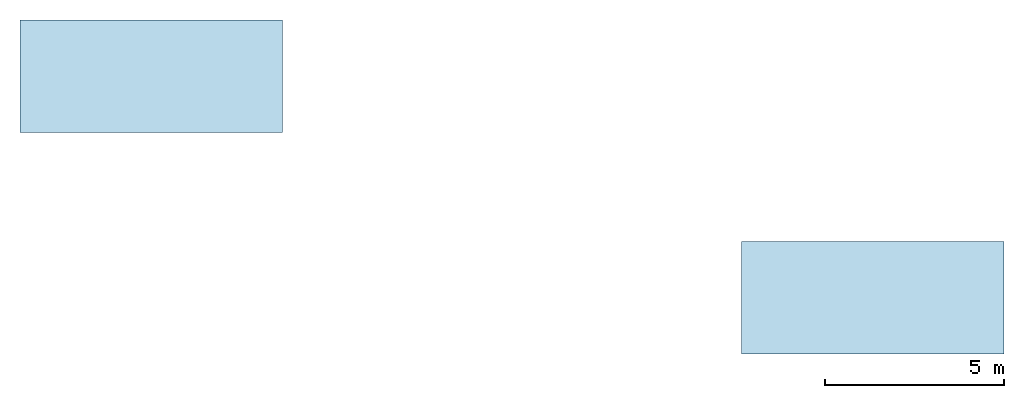
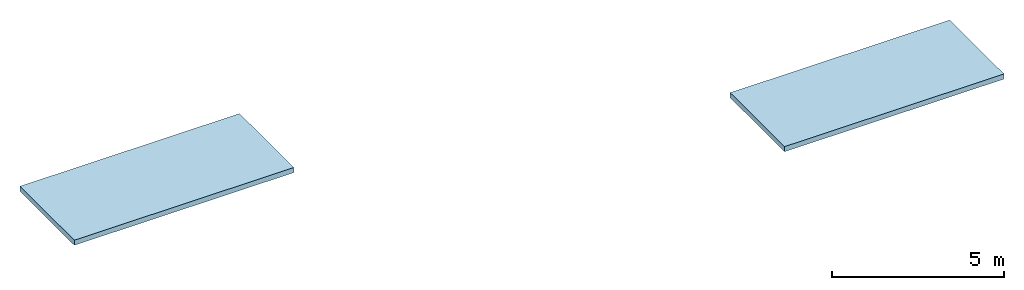
# One storey: 2 slabs.
"""IFC4 building model written with IfcOpenShell, lengths in metres."""

from ifc_helpers import new_model, si_unit, direction, frame, origin, place, context, subcontext, project, spatial, polyline, outline, extrude, material, layer, layer_set, type_object, element, save


model = new_model("IFC4")

# Units and contexts
model_context = context("Model", 3, precision=1e-05, world=origin(), true_north=direction((0.0, 1.0)))
body_context = subcontext(model_context, "Body", "Model", "MODEL_VIEW")
ifc_project = project(units=[si_unit("LENGTHUNIT", "METRE"), si_unit("AREAUNIT", "SQUARE_METRE"), si_unit("VOLUMEUNIT", "CUBIC_METRE"), si_unit("PLANEANGLEUNIT", "RADIAN"), si_unit("MASSUNIT", "GRAM", prefix="KILO")], contexts=[model_context])

# Site, building, storey
site_placement = place(None, origin())
site = spatial("IfcSite", under=ifc_project, at=site_placement, CompositionType="ELEMENT")
building_placement = place(site_placement, origin())
building = spatial("IfcBuilding", under=site, at=building_placement, Name="Marramba Exchange Tower", CompositionType="ELEMENT")
storey_placement = place(building_placement, frame((0.0, 0.0, 285.0)))
storey = spatial("IfcBuildingStorey", under=building, at=storey_placement, Name="Roof houses", CompositionType="ELEMENT", Elevation=285.0)

# Slabs
ifc_material = material(Name="Concrete N40", Category="concrete")
ifc_layer = layer(ifc_material, 0.179931640625)
ifc_layer_set = layer_set([ifc_layer], Name="Head-house roof slab 180")
slab_type = type_object("IfcSlabType", Name="Head-house roof slab 180", PredefinedType="ROOF", material=ifc_layer_set)
slab_1_placement = place(storey_placement, frame((0.0, 0.0, -0.179931640625)))
element("IfcSlab", 1, at=slab_1_placement, inside=storey, type_object=slab_type, Name="Head-house roof slab ST1", PredefinedType="ROOF", context=body_context, shape_type="SweptSolid", body=[
    extrude(outline(polyline([(-13.77490234375, 1.52490234375), (-6.425048828125, 1.52490234375), (-6.425048828125, 4.675048828125), (-13.77490234375, 4.675048828125), (-13.77490234375, 1.52490234375)])), origin(), (0.0, 0.0, 1.0), 0.179931640625),
])
slab_2_placement = place(storey_placement, frame((0.0, 0.0, -0.179931640625)))
element("IfcSlab", 2, at=slab_2_placement, inside=storey, type_object=slab_type, Name="Head-house roof slab ST2", PredefinedType="ROOF", context=body_context, shape_type="SweptSolid", body=[
    extrude(outline(polyline([(6.425048828125, -4.675048828125), (13.77490234375, -4.675048828125), (13.77490234375, -1.52490234375), (6.425048828125, -1.52490234375), (6.425048828125, -4.675048828125)])), origin(), (0.0, 0.0, 1.0), 0.179931640625),
])

save(model, "model.ifc")
